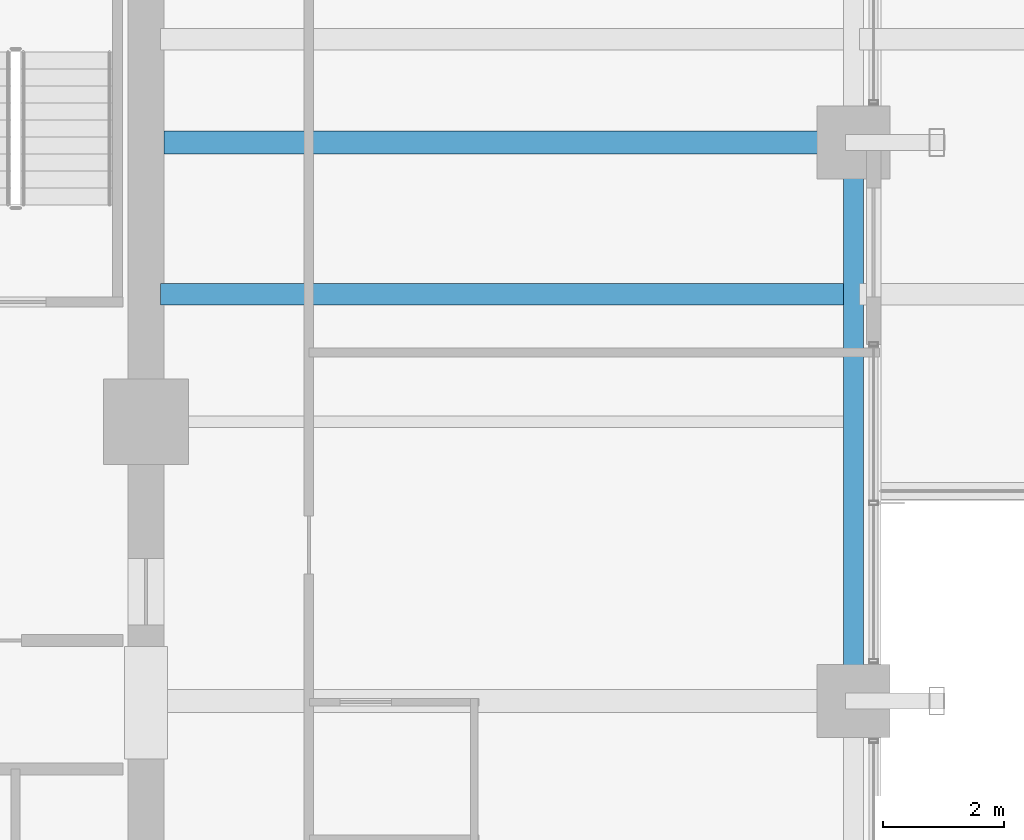
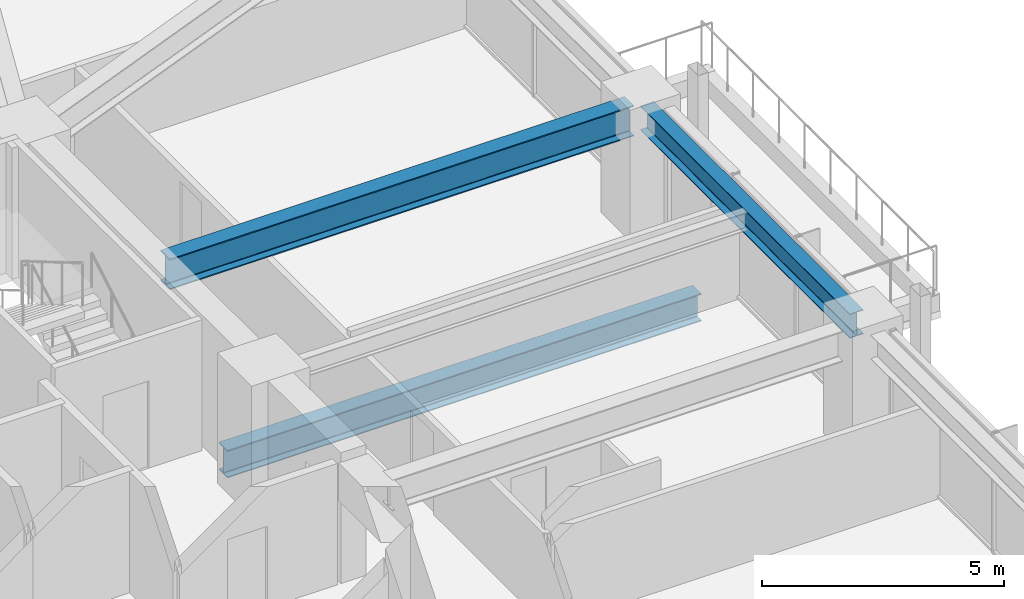
# One storey, part 16 of 38: 3 beams.
"""IFC4 building model written with IfcOpenShell, lengths in metres."""

import ifcopenshell
import ifcopenshell.guid

model = None  # the IFC model being written
_history = None  # IfcOwnerHistory: only IFC2X3 demands one
_inside = {}  # id of a spatial element -> (the spatial element, [elements in it])
_under = {}  # id of a project, library or spatial element -> (it, [spatial elements below it])
_declared = {}  # id of a project -> (the project, [libraries it declares])
_typed = {}  # id of a type object -> (the type object, [elements of that type])
_made_of = {}  # id of a material, layer set ... -> (it, [elements and type objects made of it])


def new_model(schema):
    """Start an empty IFC model of exactly this schema.

    Asked for "IFC4X3", IfcOpenShell would pick the latest addendum, in which some entities
    have other attributes; the version numbers below select the first issue.
    IFC2X3 requires an IfcOwnerHistory on every rooted entity: one is made here for all.
    """
    global model, _history
    if schema == "IFC4X3":
        model = ifcopenshell.file(schema_version=(4, 3, 0, 0))
    else:
        model = ifcopenshell.file(schema=schema)
    _inside.clear()
    _under.clear()
    _declared.clear()
    _typed.clear()
    _made_of.clear()
    _history = None
    if model.schema == "IFC2X3":
        org = make("IfcOrganization", Name="unknown")
        user = make(
            "IfcPersonAndOrganization",
            ThePerson=make("IfcPerson", FamilyName="unknown"),
            TheOrganization=org,
        )
        app = make(
            "IfcApplication",
            ApplicationDeveloper=org,
            Version="unknown",
            ApplicationFullName="unknown",
            ApplicationIdentifier="unknown",
        )
        _history = make(
            "IfcOwnerHistory",
            OwningUser=user,
            OwningApplication=app,
            ChangeAction="ADDED",
            CreationDate=0,
        )
    return model


def make(cls, **values):
    """One entity of the class cls with the attributes given. An attribute that is None is left unset."""
    return model.create_entity(
        cls, **{name: value for name, value in values.items() if value is not None}
    )


def rooted(cls, **values):
    """An entity with a GlobalId (a new one), such as an element, a storey or a relation."""
    return make(cls, GlobalId=ifcopenshell.guid.new(), OwnerHistory=_history, **values)


def si_unit(unit_type, name, prefix=None):
    """IfcSIUnit, for example si_unit("LENGTHUNIT", "METRE", prefix="MILLI")."""
    return make("IfcSIUnit", UnitType=unit_type, Prefix=prefix, Name=name)


def assignment(units):
    """IfcUnitAssignment: the units of a project."""
    return None if units is None else make("IfcUnitAssignment", Units=units)


def point(xyz):
    """IfcCartesianPoint."""
    return None if xyz is None else make("IfcCartesianPoint", Coordinates=xyz)


def direction(xyz):
    """IfcDirection."""
    return None if xyz is None else make("IfcDirection", DirectionRatios=xyz)


def frame(location, z_axis=None, x_axis=None):
    """IfcAxis2Placement3D, a coordinate frame: its origin and axes. An axis left out is left unset."""
    return make(
        "IfcAxis2Placement3D",
        Location=point(location),
        Axis=direction(z_axis),
        RefDirection=direction(x_axis),
    )


def frame_2d(location, x_axis=None):
    """IfcAxis2Placement2D, a coordinate frame in the plane: its origin and x axis."""
    return make(
        "IfcAxis2Placement2D", Location=point(location), RefDirection=direction(x_axis)
    )


def origin():
    """The frame at (0, 0, 0) with its axes left unset."""
    return frame((0.0, 0.0, 0.0))


def origin_2d():
    """The frame at (0, 0) in the plane with its x axis left unset."""
    return frame_2d((0.0, 0.0))


def place(relative_to, where):
    """IfcLocalPlacement: puts the frame where relative to a parent placement (None: the world)."""
    return make(
        "IfcLocalPlacement", PlacementRelTo=relative_to, RelativePlacement=where
    )


def context(
    kind, dimensions, precision=None, world=None, true_north=None, identifier=None
):
    """IfcGeometricRepresentationContext, for example the 3D "Model" context."""
    return make(
        "IfcGeometricRepresentationContext",
        ContextIdentifier=identifier,
        ContextType=kind,
        CoordinateSpaceDimension=dimensions,
        Precision=precision,
        WorldCoordinateSystem=world,
        TrueNorth=true_north,
    )


def subcontext(parent, identifier, kind, view, scale=None):
    """IfcGeometricRepresentationSubContext, for example "Body" below "Model"."""
    return make(
        "IfcGeometricRepresentationSubContext",
        ContextIdentifier=identifier,
        ContextType=kind,
        ParentContext=parent,
        TargetScale=scale,
        TargetView=view,
    )


def project(units=None, contexts=None):
    """IfcProject with its units and contexts."""
    return rooted(
        "IfcProject",
        Name="project",
        RepresentationContexts=contexts,
        UnitsInContext=assignment(units),
    )


def spatial(cls, under=None, at=None, **own):
    """A site, building, storey or space (cls), placed at a placement, below another one or the project."""
    s = rooted(cls, ObjectPlacement=at, **own)
    if under is not None:
        _under.setdefault(under.id(), (under, []))[1].append(s)
    return s


def profile(cls, at=None, kind="AREA", **sizes):
    """A parametric profile (cls). Its sizes go by their IFC names, for example OverallWidth=200.0."""
    return make(cls, ProfileType=kind, Position=at, **sizes)


def i_section(**sizes):
    """IfcIShapeProfileDef."""
    return profile("IfcIShapeProfileDef", **sizes)


def extrude(swept, where, along, depth):
    """IfcExtrudedAreaSolid: the profile swept, set in the frame where, extruded along a direction by depth."""
    return make(
        "IfcExtrudedAreaSolid",
        SweptArea=swept,
        Position=where,
        ExtrudedDirection=direction(along),
        Depth=depth,
    )


def shape(context_of_items, identifier, shape_type, items):
    """IfcShapeRepresentation: the items that make up one representation, for example the "Body"."""
    return make(
        "IfcShapeRepresentation",
        ContextOfItems=context_of_items,
        RepresentationIdentifier=identifier,
        RepresentationType=shape_type,
        Items=items,
    )


def material(Name=None, Category=None):
    """IfcMaterial."""
    return make("IfcMaterial", Name=Name, Category=Category)


def material_profile(
    of_material, cross_section, Name=None, Category=None, Priority=None
):
    """IfcMaterialProfile: a cross section and its material."""
    return make(
        "IfcMaterialProfile",
        Name=Name,
        Material=of_material,
        Profile=cross_section,
        Priority=Priority,
        Category=Category,
    )


def profile_set(profiles, Name=None, composite=None):
    """IfcMaterialProfileSet."""
    return make(
        "IfcMaterialProfileSet",
        Name=Name,
        MaterialProfiles=profiles,
        CompositeProfile=composite,
    )


def made_of(thing, what):
    """Note that an element or type object is made of a material, layer set ...; save() writes the relation."""
    if what is not None:
        _made_of.setdefault(what.id(), (what, []))[1].append(thing)
    return thing


def type_object(cls, material=None, **own):
    """A type object (cls), such as IfcWallType, which elements share."""
    return made_of(rooted(cls, **own), material)


def element(
    cls,
    number,
    at=None,
    inside=None,
    cuts=None,
    type_object=None,
    material=None,
    context=None,
    identifier="Body",
    shape_type=None,
    held_by="IfcProductDefinitionShape",
    body=None,
    shapes=None,
    **own,
):
    """One element of the class cls, such as IfcWall. Its Tag is "e" and its number.

    at: its placement. inside: the storey or other place that contains it. cuts: it is an
    opening in that element (IfcRelVoidsElement). A single representation is given by context,
    identifier, shape_type and body (its items); several are given by shapes. held_by: the class
    of the entity that holds the representations. save() writes the other relations.
    """
    e = rooted(cls, Tag="e%d" % number, ObjectPlacement=at, **own)
    if body is not None:
        shapes = [shape(context, identifier, shape_type, body)]
    if shapes is not None:
        e.Representation = make(held_by, Representations=shapes)
    if inside is not None:
        _inside.setdefault(inside.id(), (inside, []))[1].append(e)
    if cuts is not None:
        rooted(
            "IfcRelVoidsElement", RelatingBuildingElement=cuts, RelatedOpeningElement=e
        )
    if type_object is not None:
        _typed.setdefault(type_object.id(), (type_object, []))[1].append(e)
    return made_of(e, material)


def aggregate(whole, parts):
    """IfcRelAggregates: a whole, such as a stair, and the parts it consists of."""
    return rooted("IfcRelAggregates", RelatingObject=whole, RelatedObjects=parts)


def save(model, path):
    """Write the relations noted so far, then the file.

    IfcRelAggregates (storeys below a building ...), IfcRelContainedInSpatialStructure (elements
    in a storey), IfcRelDefinesByType, IfcRelAssociatesMaterial and IfcRelDeclares: one each for
    every whole, place, type object, material and project.
    """
    for whole, parts in _under.values():
        aggregate(whole, parts)
    for where, things in _inside.values():
        rooted(
            "IfcRelContainedInSpatialStructure",
            RelatedElements=things,
            RelatingStructure=where,
        )
    for kind, things in _typed.values():
        rooted("IfcRelDefinesByType", RelatedObjects=things, RelatingType=kind)
    for what, things in _made_of.values():
        rooted("IfcRelAssociatesMaterial", RelatedObjects=things, RelatingMaterial=what)
    for by, libraries in _declared.values():
        rooted("IfcRelDeclares", RelatingContext=by, RelatedDefinitions=libraries)
    model.write(path)


model = new_model("IFC4")

# Units and contexts
model_context = context("Model", 3, precision=1e-05, world=origin(), true_north=direction((0.0, 1.0)))
body_context = subcontext(model_context, "Body", "Model", "MODEL_VIEW")
ifc_project = project(units=[si_unit("LENGTHUNIT", "METRE"), si_unit("AREAUNIT", "SQUARE_METRE"), si_unit("VOLUMEUNIT", "CUBIC_METRE"), si_unit("PLANEANGLEUNIT", "RADIAN"), si_unit("MASSUNIT", "GRAM", prefix="KILO")], contexts=[model_context])

# Site, building, storey
site_placement = place(None, origin())
site = spatial("IfcSite", under=ifc_project, at=site_placement, CompositionType="ELEMENT")
building_placement = place(site_placement, origin())
building = spatial("IfcBuilding", under=site, at=building_placement, Name="Kolvaren Belvedere", CompositionType="ELEMENT")
storey_placement = place(building_placement, frame((0.0, 0.0, 53.5)))
storey = spatial("IfcBuildingStorey", under=building, at=storey_placement, Name="L15", CompositionType="ELEMENT", Elevation=53.5)

# Beams
ifc_material_1 = material(Name="Structural steel ASTM A992 Grade 50", Category="steel")
ifc_material_profile_1 = material_profile(ifc_material_1, i_section(OverallWidth=0.35498046875, OverallDepth=0.696044921875, WebThickness=0.015380859375, FlangeThickness=0.02490234375, FilletRadius=0.02197265625, at=origin_2d()), Name="W27X146")
ifc_profile_set_1 = profile_set([ifc_material_profile_1], Name="Structural steel ASTM A992 Grade 50")
beam_type_1 = type_object("IfcBeamType", Name="BM-GIRD-W27X146", PredefinedType="BEAM", material=ifc_profile_set_1)
beam_1_placement = place(storey_placement, frame((10.139892578125, 2.10009765625, -0.587890625), z_axis=(1.0, 0.0, 0.0), x_axis=(0.0, 1.0, 0.0)))
element("IfcBeam", 1, at=beam_1_placement, inside=storey, type_object=beam_type_1, Name="L15 Balcony Interior Back-Span Girder SPIRAL-02-E-1", PredefinedType="BEAM", context=body_context, shape_type="SweptSolid", body=[
    extrude(i_section(OverallWidth=0.35498046875, OverallDepth=0.696044921875, WebThickness=0.015380859375, FlangeThickness=0.02490234375, FilletRadius=0.02197265625, at=origin_2d()), origin(), (0.0, 0.0, 1.0), 11.315185546875),
])
ifc_material_2 = material(Name="Structural steel ASTM A992 Grade 50", Category="steel")
ifc_material_profile_2 = material_profile(ifc_material_2, i_section(OverallWidth=0.381103515625, OverallDepth=0.77294921875, WebThickness=0.0166015625, FlangeThickness=0.027099609375, FilletRadius=0.02392578125, at=origin_2d()), Name="W30X173")
ifc_profile_set_2 = profile_set([ifc_material_profile_2], Name="Structural steel ASTM A992 Grade 50")
beam_type_2 = type_object("IfcBeamType", Name="BM-GIRD-W30X173", PredefinedType="BEAM", material=ifc_profile_set_2)
beam_2_placement = place(storey_placement, frame((10.199951171875, 4.60009765625, 2.673583984375), z_axis=(1.0, 0.0, 0.0), x_axis=(0.0, 1.0, 0.0)))
element("IfcBeam", 2, at=beam_2_placement, inside=storey, type_object=beam_type_2, Name="L15 East Radial Girder P", PredefinedType="BEAM", context=body_context, shape_type="SweptSolid", body=[
    extrude(i_section(OverallWidth=0.381103515625, OverallDepth=0.77294921875, WebThickness=0.0166015625, FlangeThickness=0.027099609375, FilletRadius=0.02392578125, at=origin_2d()), origin(), (0.0, 0.0, 1.0), 11.080078125),
])
ifc_material_3 = material(Name="Structural steel ASTM A992 Grade 50", Category="steel")
ifc_material_profile_3 = material_profile(ifc_material_3, i_section(OverallWidth=0.324951171875, OverallDepth=0.615966796875, WebThickness=0.013916015625, FlangeThickness=0.021484375, FilletRadius=0.02001953125, at=origin_2d()), Name="W24X117")
ifc_profile_set_3 = profile_set([ifc_material_profile_3], Name="Structural steel ASTM A992 Grade 50")
beam_type_3 = type_object("IfcBeamType", Name="BM-SPAN-W24X117", PredefinedType="SPANDREL", material=ifc_profile_set_3)
beam_3_placement = place(storey_placement, frame((21.550048828125, -4.330078125, 2.751953125), z_axis=(0.0, 1.0, 0.0), x_axis=(-1.0, 0.0, 0.0)))
element("IfcBeam", 3, at=beam_3_placement, inside=storey, type_object=beam_type_3, Name="L15 Perimeter Spandrel E2-E3", PredefinedType="SPANDREL", context=body_context, shape_type="SweptSolid", body=[
    extrude(i_section(OverallWidth=0.324951171875, OverallDepth=0.615966796875, WebThickness=0.013916015625, FlangeThickness=0.021484375, FilletRadius=0.02001953125, at=origin_2d()), origin(), (0.0, 0.0, 1.0), 8.66015625),
])

save(model, "model.ifc")
